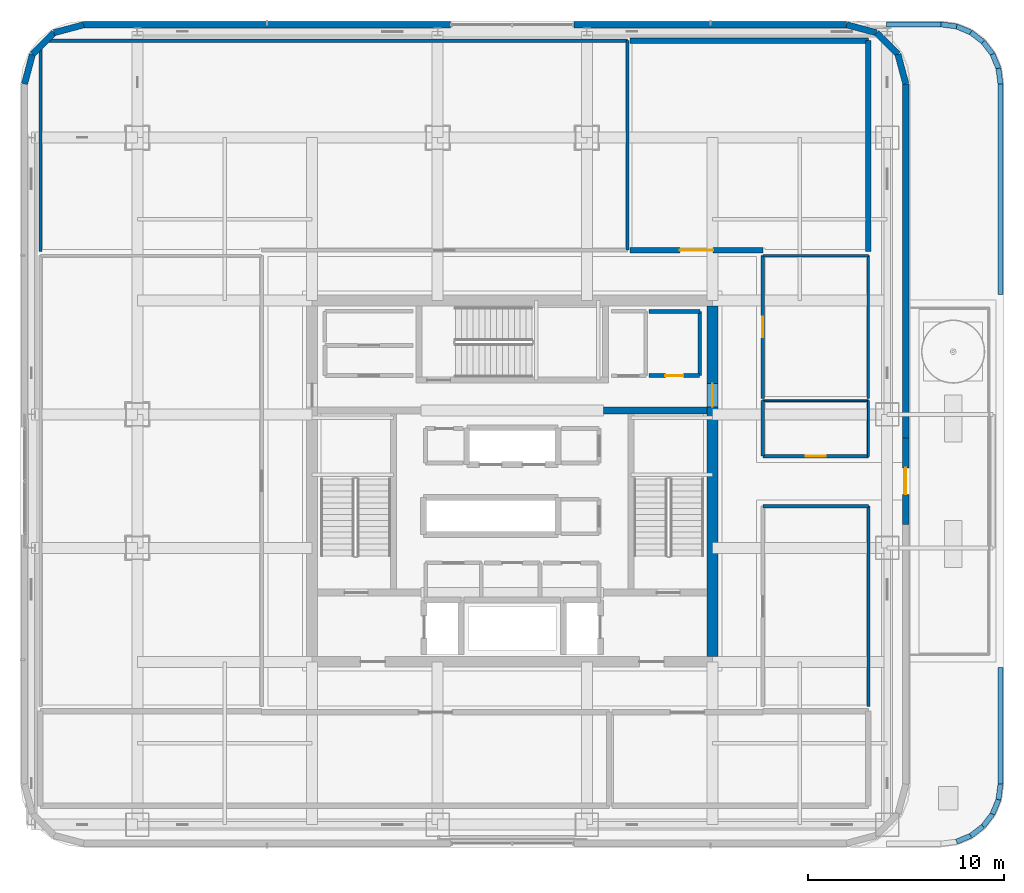
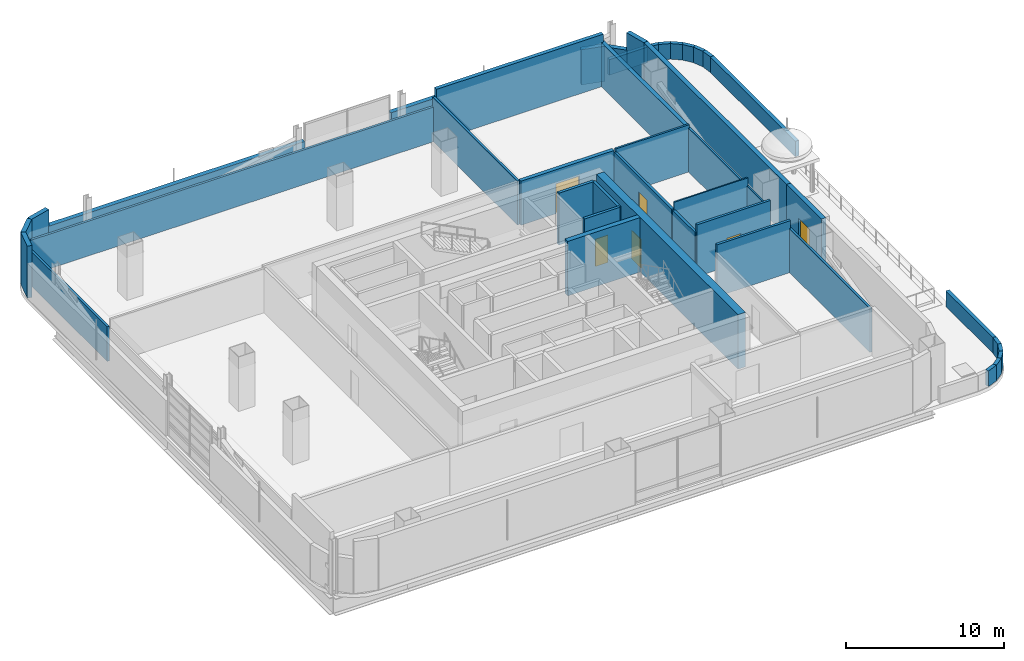
# One storey, part 14 of 31: 44 walls, 6 doors, 6 openings.
"""IFC4 building model written with IfcOpenShell, lengths in metres."""

import ifcopenshell
import ifcopenshell.guid

model = None  # the IFC model being written
_history = None  # IfcOwnerHistory: only IFC2X3 demands one
_inside = {}  # id of a spatial element -> (the spatial element, [elements in it])
_under = {}  # id of a project, library or spatial element -> (it, [spatial elements below it])
_declared = {}  # id of a project -> (the project, [libraries it declares])
_typed = {}  # id of a type object -> (the type object, [elements of that type])
_made_of = {}  # id of a material, layer set ... -> (it, [elements and type objects made of it])


def new_model(schema):
    """Start an empty IFC model of exactly this schema.

    Asked for "IFC4X3", IfcOpenShell would pick the latest addendum, in which some entities
    have other attributes; the version numbers below select the first issue.
    IFC2X3 requires an IfcOwnerHistory on every rooted entity: one is made here for all.
    """
    global model, _history
    if schema == "IFC4X3":
        model = ifcopenshell.file(schema_version=(4, 3, 0, 0))
    else:
        model = ifcopenshell.file(schema=schema)
    _inside.clear()
    _under.clear()
    _declared.clear()
    _typed.clear()
    _made_of.clear()
    _history = None
    if model.schema == "IFC2X3":
        org = make("IfcOrganization", Name="unknown")
        user = make(
            "IfcPersonAndOrganization",
            ThePerson=make("IfcPerson", FamilyName="unknown"),
            TheOrganization=org,
        )
        app = make(
            "IfcApplication",
            ApplicationDeveloper=org,
            Version="unknown",
            ApplicationFullName="unknown",
            ApplicationIdentifier="unknown",
        )
        _history = make(
            "IfcOwnerHistory",
            OwningUser=user,
            OwningApplication=app,
            ChangeAction="ADDED",
            CreationDate=0,
        )
    return model


def make(cls, **values):
    """One entity of the class cls with the attributes given. An attribute that is None is left unset."""
    return model.create_entity(
        cls, **{name: value for name, value in values.items() if value is not None}
    )


def rooted(cls, **values):
    """An entity with a GlobalId (a new one), such as an element, a storey or a relation."""
    return make(cls, GlobalId=ifcopenshell.guid.new(), OwnerHistory=_history, **values)


def si_unit(unit_type, name, prefix=None):
    """IfcSIUnit, for example si_unit("LENGTHUNIT", "METRE", prefix="MILLI")."""
    return make("IfcSIUnit", UnitType=unit_type, Prefix=prefix, Name=name)


def assignment(units):
    """IfcUnitAssignment: the units of a project."""
    return None if units is None else make("IfcUnitAssignment", Units=units)


def point(xyz):
    """IfcCartesianPoint."""
    return None if xyz is None else make("IfcCartesianPoint", Coordinates=xyz)


def direction(xyz):
    """IfcDirection."""
    return None if xyz is None else make("IfcDirection", DirectionRatios=xyz)


def frame(location, z_axis=None, x_axis=None):
    """IfcAxis2Placement3D, a coordinate frame: its origin and axes. An axis left out is left unset."""
    return make(
        "IfcAxis2Placement3D",
        Location=point(location),
        Axis=direction(z_axis),
        RefDirection=direction(x_axis),
    )


def frame_2d(location, x_axis=None):
    """IfcAxis2Placement2D, a coordinate frame in the plane: its origin and x axis."""
    return make(
        "IfcAxis2Placement2D", Location=point(location), RefDirection=direction(x_axis)
    )


def origin():
    """The frame at (0, 0, 0) with its axes left unset."""
    return frame((0.0, 0.0, 0.0))


def place(relative_to, where):
    """IfcLocalPlacement: puts the frame where relative to a parent placement (None: the world)."""
    return make(
        "IfcLocalPlacement", PlacementRelTo=relative_to, RelativePlacement=where
    )


def context(
    kind, dimensions, precision=None, world=None, true_north=None, identifier=None
):
    """IfcGeometricRepresentationContext, for example the 3D "Model" context."""
    return make(
        "IfcGeometricRepresentationContext",
        ContextIdentifier=identifier,
        ContextType=kind,
        CoordinateSpaceDimension=dimensions,
        Precision=precision,
        WorldCoordinateSystem=world,
        TrueNorth=true_north,
    )


def subcontext(parent, identifier, kind, view, scale=None):
    """IfcGeometricRepresentationSubContext, for example "Body" below "Model"."""
    return make(
        "IfcGeometricRepresentationSubContext",
        ContextIdentifier=identifier,
        ContextType=kind,
        ParentContext=parent,
        TargetScale=scale,
        TargetView=view,
    )


def project(units=None, contexts=None):
    """IfcProject with its units and contexts."""
    return rooted(
        "IfcProject",
        Name="project",
        RepresentationContexts=contexts,
        UnitsInContext=assignment(units),
    )


def spatial(cls, under=None, at=None, **own):
    """A site, building, storey or space (cls), placed at a placement, below another one or the project."""
    s = rooted(cls, ObjectPlacement=at, **own)
    if under is not None:
        _under.setdefault(under.id(), (under, []))[1].append(s)
    return s


def profile(cls, at=None, kind="AREA", **sizes):
    """A parametric profile (cls). Its sizes go by their IFC names, for example OverallWidth=200.0."""
    return make(cls, ProfileType=kind, Position=at, **sizes)


def rectangle(**sizes):
    """IfcRectangleProfileDef."""
    return profile("IfcRectangleProfileDef", **sizes)


def extrude(swept, where, along, depth):
    """IfcExtrudedAreaSolid: the profile swept, set in the frame where, extruded along a direction by depth."""
    return make(
        "IfcExtrudedAreaSolid",
        SweptArea=swept,
        Position=where,
        ExtrudedDirection=direction(along),
        Depth=depth,
    )


def shape(context_of_items, identifier, shape_type, items):
    """IfcShapeRepresentation: the items that make up one representation, for example the "Body"."""
    return make(
        "IfcShapeRepresentation",
        ContextOfItems=context_of_items,
        RepresentationIdentifier=identifier,
        RepresentationType=shape_type,
        Items=items,
    )


def material(Name=None, Category=None):
    """IfcMaterial."""
    return make("IfcMaterial", Name=Name, Category=Category)


def layer(
    of_material, thickness, ventilated=None, Name=None, Category=None, Priority=None
):
    """IfcMaterialLayer: one layer of a wall or slab, of a material (None: an air gap)."""
    return make(
        "IfcMaterialLayer",
        Material=of_material,
        LayerThickness=thickness,
        IsVentilated=ventilated,
        Name=Name,
        Category=Category,
        Priority=Priority,
    )


def layer_set(layers, Name=None):
    """IfcMaterialLayerSet."""
    return make("IfcMaterialLayerSet", MaterialLayers=layers, LayerSetName=Name)


def made_of(thing, what):
    """Note that an element or type object is made of a material, layer set ...; save() writes the relation."""
    if what is not None:
        _made_of.setdefault(what.id(), (what, []))[1].append(thing)
    return thing


def type_object(cls, material=None, **own):
    """A type object (cls), such as IfcWallType, which elements share."""
    return made_of(rooted(cls, **own), material)


def element(
    cls,
    number,
    at=None,
    inside=None,
    cuts=None,
    type_object=None,
    material=None,
    context=None,
    identifier="Body",
    shape_type=None,
    held_by="IfcProductDefinitionShape",
    body=None,
    shapes=None,
    **own,
):
    """One element of the class cls, such as IfcWall. Its Tag is "e" and its number.

    at: its placement. inside: the storey or other place that contains it. cuts: it is an
    opening in that element (IfcRelVoidsElement). A single representation is given by context,
    identifier, shape_type and body (its items); several are given by shapes. held_by: the class
    of the entity that holds the representations. save() writes the other relations.
    """
    e = rooted(cls, Tag="e%d" % number, ObjectPlacement=at, **own)
    if body is not None:
        shapes = [shape(context, identifier, shape_type, body)]
    if shapes is not None:
        e.Representation = make(held_by, Representations=shapes)
    if inside is not None:
        _inside.setdefault(inside.id(), (inside, []))[1].append(e)
    if cuts is not None:
        rooted(
            "IfcRelVoidsElement", RelatingBuildingElement=cuts, RelatedOpeningElement=e
        )
    if type_object is not None:
        _typed.setdefault(type_object.id(), (type_object, []))[1].append(e)
    return made_of(e, material)


def fill(opening, filler):
    """IfcRelFillsElement: the door or window that sits in an opening."""
    return rooted(
        "IfcRelFillsElement",
        RelatingOpeningElement=opening,
        RelatedBuildingElement=filler,
    )


def aggregate(whole, parts):
    """IfcRelAggregates: a whole, such as a stair, and the parts it consists of."""
    return rooted("IfcRelAggregates", RelatingObject=whole, RelatedObjects=parts)


def save(model, path):
    """Write the relations noted so far, then the file.

    IfcRelAggregates (storeys below a building ...), IfcRelContainedInSpatialStructure (elements
    in a storey), IfcRelDefinesByType, IfcRelAssociatesMaterial and IfcRelDeclares: one each for
    every whole, place, type object, material and project.
    """
    for whole, parts in _under.values():
        aggregate(whole, parts)
    for where, things in _inside.values():
        rooted(
            "IfcRelContainedInSpatialStructure",
            RelatedElements=things,
            RelatingStructure=where,
        )
    for kind, things in _typed.values():
        rooted("IfcRelDefinesByType", RelatedObjects=things, RelatingType=kind)
    for what, things in _made_of.values():
        rooted("IfcRelAssociatesMaterial", RelatedObjects=things, RelatingMaterial=what)
    for by, libraries in _declared.values():
        rooted("IfcRelDeclares", RelatingContext=by, RelatedDefinitions=libraries)
    model.write(path)


model = new_model("IFC4")

# Units and contexts
model_context = context("Model", 3, precision=1e-05, world=origin(), true_north=direction((0.0, 1.0)))
body_context = subcontext(model_context, "Body", "Model", "MODEL_VIEW")
ifc_project = project(units=[si_unit("LENGTHUNIT", "METRE"), si_unit("AREAUNIT", "SQUARE_METRE"), si_unit("VOLUMEUNIT", "CUBIC_METRE"), si_unit("PLANEANGLEUNIT", "RADIAN"), si_unit("MASSUNIT", "GRAM", prefix="KILO")], contexts=[model_context])

# Site, building, storey
site_placement = place(None, origin())
site = spatial("IfcSite", under=ifc_project, at=site_placement, CompositionType="ELEMENT")
building_placement = place(site_placement, origin())
building = spatial("IfcBuilding", under=site, at=building_placement, Name="Punatoya Terracotta Tower", CompositionType="ELEMENT")
storey_placement = place(building_placement, frame((0.0, 0.0, 283.800048828125)))
storey = spatial("IfcBuildingStorey", under=building, at=storey_placement, Name="L67", CompositionType="ELEMENT", Elevation=283.800048828125)

# Wall
ifc_material_1 = material(Name="Concrete C40/50", Category="concrete")
ifc_layer_1 = layer(ifc_material_1, 0.280029296875)
ifc_layer_set_1 = layer_set([ifc_layer_1], Name="Concrete C40/50")
wall_type_1 = type_object("IfcWallType", Name="WL-AUD-280", PredefinedType="SOLIDWALL", material=ifc_layer_set_1)
wall_1_placement = place(storey_placement, frame((18.139892578125, 22.43994140625, 0.0), z_axis=(0.0, 0.0, 1.0), x_axis=(0.0, -1.0, 0.0)))
element("IfcWall", 1, at=wall_1_placement, inside=storey, type_object=wall_type_1, Name="L67 Waterfront Club Lounge Partition 54", PredefinedType="SOLIDWALL", context=body_context, shape_type="SweptSolid", body=[
    extrude(rectangle(XDim=10.72998046875, YDim=0.280029296875, at=frame_2d((5.364990234375, 0.0))), origin(), (0.0, 0.0, 1.0), 3.39404296875),
])

# Wall, opening, door
wall_2_placement = place(storey_placement, frame((12.77001953125, 11.77001953125, 0.0), z_axis=(0.0, 0.0, 1.0), x_axis=(-1.0, 0.0, 0.0)))
wall_2 = element("IfcWall", 2, at=wall_2_placement, inside=storey, type_object=wall_type_1, Name="L67 Waterfront Club Lounge Partition 55", PredefinedType="SOLIDWALL", context=body_context, shape_type="SweptSolid", body=[
    extrude(rectangle(XDim=6.776123046875, YDim=0.280029296875, at=frame_2d((3.38818359375, 0.0))), origin(), (0.0, 0.0, 1.0), 3.39404296875),
])
opening_1_placement = place(wall_2_placement, frame((2.5380859375, 0.0, 0.0)))
opening_1 = element("IfcOpeningElement", 3, at=opening_1_placement, cuts=wall_2, Name="Opening FD-D1", PredefinedType="OPENING", context=body_context, shape_type="SweptSolid", body=[
    extrude(rectangle(XDim=1.699951171875, YDim=2.300048828125, at=frame_2d((0.85009765625, 1.14990234375))), frame((0.0, 0.14990234375, 0.0), z_axis=(0.0, -1.0, 0.0), x_axis=(1.0, 0.0, 0.0)), (0.0, 0.0, 1.0), 0.300048828125),
])
ifc_material_2 = material(Name="Timber Teak Veneer Fire Leaf", Category="wood")
door_type_1 = type_object("IfcDoorType", Name="DR-DIN-1700", OperationType="NOTDEFINED", PredefinedType="DOOR", material=ifc_material_2)
door_1_placement = place(opening_1_placement, origin())
door_1 = element("IfcDoor", 4, at=door_1_placement, inside=storey, type_object=door_type_1, Name="L67 Waterfront Club Lounge Fire Door", OperationType="DOUBLE_DOOR_SINGLE_SWING", OverallHeight=2.300048828125, OverallWidth=1.699951171875, PredefinedType="DOOR", context=body_context, shape_type="SweptSolid", body=[
    extrude(rectangle(XDim=1.699951171875, YDim=2.300048828125, at=frame_2d((0.85009765625, 1.14990234375))), frame((0.0, 0.02490234375, 0.0), z_axis=(0.0, -1.0, 0.0), x_axis=(1.0, 0.0, 0.0)), (0.0, 0.0, 1.0), 0.050048828125),
])
fill(opening_1, door_1)

# Wall
wall_3_placement = place(storey_placement, frame((5.993896484375, 22.43994140625, 0.0), z_axis=(0.0, 0.0, 1.0), x_axis=(1.0, 0.0, 0.0)))
element("IfcWall", 5, at=wall_3_placement, inside=storey, type_object=wall_type_1, Name="L67 Waterfront Club Lounge Partition 56", PredefinedType="SOLIDWALL", context=body_context, shape_type="SweptSolid", body=[
    extrude(rectangle(XDim=12.14599609375, YDim=0.280029296875, at=frame_2d((6.072998046875, 0.0))), origin(), (0.0, 0.0, 1.0), 4.0),
])

# Wall, opening, door
ifc_material_3 = material(Name="Concrete C50/60", Category="concrete")
ifc_layer_2 = layer(ifc_material_3, 0.550048828125)
ifc_layer_set_2 = layer_set([ifc_layer_2], Name="Concrete C50/60")
wall_type_2 = type_object("IfcWallType", Name="WL-COR-550", PredefinedType="SHEAR", material=ifc_layer_set_2)
wall_4_placement = place(storey_placement, frame((10.199951171875, 8.925048828125, 0.0), z_axis=(0.0, 0.0, 1.0), x_axis=(0.0, -1.0, 0.0)))
wall_4 = element("IfcWall", 6, at=wall_4_placement, inside=storey, type_object=wall_type_2, Name="L67 Core Shear Wall E", PredefinedType="SHEAR", context=body_context, shape_type="SweptSolid", body=[
    extrude(rectangle(XDim=17.85009765625, YDim=0.550048828125, at=frame_2d((8.925048828125, 0.0))), origin(), (0.0, 0.0, 1.0), 4.199951171875),
])
opening_2_placement = place(wall_4_placement, frame((3.955078125, 0.0, 0.0)))
opening_2 = element("IfcOpeningElement", 7, at=opening_2_placement, cuts=wall_4, Name="Opening SD-01", PredefinedType="OPENING", context=body_context, shape_type="SweptSolid", body=[
    extrude(rectangle(XDim=1.179931640625, YDim=2.199951171875, at=frame_2d((0.58984375, 1.10009765625))), frame((0.0, 0.284912109375, 0.0), z_axis=(0.0, -1.0, 0.0), x_axis=(1.0, 0.0, 0.0)), (0.0, 0.0, 1.0), 0.570068359375),
])
ifc_material_4 = material(Name="Galvanised Steel Pressurized Stair Fire Door", Category="steel")
door_type_2 = type_object("IfcDoorType", Name="DR-STR-1180", OperationType="NOTDEFINED", PredefinedType="DOOR", material=ifc_material_4)
door_2_placement = place(opening_2_placement, origin())
door_2 = element("IfcDoor", 8, at=door_2_placement, inside=storey, type_object=door_type_2, Name="L67 Central Lift Lobby East Fire Door", OperationType="SINGLE_SWING_RIGHT", OverallHeight=2.199951171875, OverallWidth=1.179931640625, PredefinedType="DOOR", context=body_context, shape_type="SweptSolid", body=[
    extrude(rectangle(XDim=1.179931640625, YDim=2.199951171875, at=frame_2d((0.58984375, 1.10009765625))), frame((0.0, 0.02490234375, 0.0), z_axis=(0.0, -1.0, 0.0), x_axis=(1.0, 0.0, 0.0)), (0.0, 0.0, 1.0), 0.050048828125),
])
fill(opening_2, door_2)

# Wall
ifc_material_5 = material(Name="Gypsum Fireboard + Steel Stud", Category="steel")
ifc_layer_3 = layer(ifc_material_5, 0.179931640625)
ifc_layer_set_3 = layer_set([ifc_layer_3], Name="Gypsum Fireboard + Steel Stud")
wall_type_3 = type_object("IfcWallType", Name="WL-CORR-180", PredefinedType="PARTITIONING", material=ifc_layer_set_3)
wall_5_placement = place(storey_placement, frame((12.77001953125, -1.27001953125, 0.0), z_axis=(0.0, 0.0, 1.0), x_axis=(1.0, 0.0, 0.0)))
element("IfcWall", 9, at=wall_5_placement, inside=storey, type_object=wall_type_3, Name="L67 Catering Tea Pantry Partition 38", PredefinedType="PARTITIONING", context=body_context, shape_type="SweptSolid", body=[
    extrude(rectangle(XDim=5.369873046875, YDim=0.179931640625, at=frame_2d((2.68505859375, 0.0))), origin(), (0.0, 0.0, 1.0), 4.0),
])

# Wall, opening, door
wall_6_placement = place(storey_placement, frame((18.139892578125, 1.27001953125, 0.0), z_axis=(0.0, 0.0, 1.0), x_axis=(-1.0, 0.0, 0.0)))
wall_6 = element("IfcWall", 10, at=wall_6_placement, inside=storey, type_object=wall_type_3, Name="L67 Private Dining Boardroom Partition 43", PredefinedType="PARTITIONING", context=body_context, shape_type="SweptSolid", body=[
    extrude(rectangle(XDim=5.369873046875, YDim=0.179931640625, at=frame_2d((2.68505859375, 0.0))), origin(), (0.0, 0.0, 1.0), 4.0),
])
opening_3_placement = place(wall_6_placement, frame((2.175048828125, 0.0, 0.0)))
opening_3 = element("IfcOpeningElement", 11, at=opening_3_placement, cuts=wall_6, Name="Opening MD-01", PredefinedType="OPENING", context=body_context, shape_type="SweptSolid", body=[
    extrude(rectangle(XDim=1.02001953125, YDim=2.199951171875, at=frame_2d((0.510009765625, 1.10009765625))), frame((0.0, 0.099853515625, 0.0), z_axis=(0.0, -1.0, 0.0), x_axis=(1.0, 0.0, 0.0)), (0.0, 0.0, 1.0), 0.199951171875),
])
ifc_material_6 = material(Name="Aluminium + Acoustic Glass Leaf", Category="aluminium")
door_type_3 = type_object("IfcDoorType", Name="DR-MTG-1020", OperationType="NOTDEFINED", PredefinedType="DOOR", material=ifc_material_6)
door_3_placement = place(opening_3_placement, origin())
door_3 = element("IfcDoor", 12, at=door_3_placement, inside=storey, type_object=door_type_3, Name="L67 Private Dining Boardroom Door", OperationType="SINGLE_SWING_LEFT", OverallHeight=2.199951171875, OverallWidth=1.02001953125, PredefinedType="DOOR", context=body_context, shape_type="SweptSolid", body=[
    extrude(rectangle(XDim=1.02001953125, YDim=2.199951171875, at=frame_2d((0.510009765625, 1.10009765625))), frame((0.0, 0.02490234375, 0.0), z_axis=(0.0, -1.0, 0.0), x_axis=(1.0, 0.0, 0.0)), (0.0, 0.0, 1.0), 0.050048828125),
])
fill(opening_3, door_3)

# Wall
wall_7_placement = place(storey_placement, frame((12.77001953125, 1.27001953125, 0.0), z_axis=(0.0, 0.0, 1.0), x_axis=(0.0, 1.0, 0.0)))
element("IfcWall", 13, at=wall_7_placement, inside=storey, type_object=wall_type_3, Name="L67 Private Dining Boardroom Partition 44", PredefinedType="PARTITIONING", context=body_context, shape_type="SweptSolid", body=[
    extrude(rectangle(XDim=2.827880859375, YDim=0.179931640625, at=frame_2d((1.4140625, 0.0))), origin(), (0.0, 0.0, 1.0), 3.39404296875),
])

# Wall, opening, door
wall_8_placement = place(storey_placement, frame((12.77001953125, 4.218017578125, 0.0), z_axis=(0.0, 0.0, 1.0), x_axis=(0.0, 1.0, 0.0)))
wall_8 = element("IfcWall", 14, at=wall_8_placement, inside=storey, type_object=wall_type_3, Name="L67 Wellness Relaxation Lounge Partition 47", PredefinedType="PARTITIONING", context=body_context, shape_type="SweptSolid", body=[
    extrude(rectangle(XDim=7.27197265625, YDim=0.179931640625, at=frame_2d((3.635986328125, 0.0))), origin(), (0.0, 0.0, 1.0), 3.39404296875),
])
opening_4_placement = place(wall_8_placement, frame((3.111083984375, 0.0, 0.0)))
opening_4 = element("IfcOpeningElement", 15, at=opening_4_placement, cuts=wall_8, Name="Opening OD-01", PredefinedType="OPENING", context=body_context, shape_type="SweptSolid", body=[
    extrude(rectangle(XDim=1.050048828125, YDim=2.199951171875, at=frame_2d((0.52490234375, 1.10009765625))), frame((0.0, 0.099853515625, 0.0), z_axis=(0.0, -1.0, 0.0), x_axis=(1.0, 0.0, 0.0)), (0.0, 0.0, 1.0), 0.199951171875),
])
ifc_material_7 = material(Name="Bengal Teak Solid-Core Leaf")
door_type_4 = type_object("IfcDoorType", Name="DR-OFF-1050", OperationType="NOTDEFINED", PredefinedType="DOOR", material=ifc_material_7)
door_4_placement = place(opening_4_placement, origin())
door_4 = element("IfcDoor", 16, at=door_4_placement, inside=storey, type_object=door_type_4, Name="L67 Wellness Relaxation Lounge Door", OperationType="SINGLE_SWING_RIGHT", OverallHeight=2.199951171875, OverallWidth=1.050048828125, PredefinedType="DOOR", context=body_context, shape_type="SweptSolid", body=[
    extrude(rectangle(XDim=1.050048828125, YDim=2.199951171875, at=frame_2d((0.52490234375, 1.10009765625))), frame((0.0, 0.02490234375, 0.0), z_axis=(0.0, -1.0, 0.0), x_axis=(1.0, 0.0, 0.0)), (0.0, 0.0, 1.0), 0.050048828125),
])
fill(opening_4, door_4)

# Wall
ifc_material_8 = material(Name="Precast concrete C40/50", Category="concrete")
ifc_layer_4 = layer(ifc_material_8, 0.320068359375)
ifc_layer_set_4 = layer_set([ifc_layer_4], Name="Precast concrete C40/50")
wall_type_4 = type_object("IfcWallType", Name="WL-EXT-320", PredefinedType="SOLIDWALL", material=ifc_layer_set_4)
wall_9_placement = place(storey_placement, frame((20.050048828125, 2.199951171875, 0.0), z_axis=(0.0, 0.0, 1.0), x_axis=(0.0, 1.0, 0.0)))
element("IfcWall", 17, at=wall_9_placement, inside=storey, type_object=wall_type_4, Name="L67 Terracotta Braced Facade Wall E", PredefinedType="SOLIDWALL", context=body_context, shape_type="SweptSolid", body=[
    extrude(rectangle(XDim=18.036865234375, YDim=0.320068359375, at=frame_2d((9.0185546875, 0.0))), origin(), (0.0, 0.0, 1.0), 4.0),
])

# Wall, opening, door
wall_10_placement = place(storey_placement, frame((20.050048828125, -2.199951171875, 0.0), z_axis=(0.0, 0.0, 1.0), x_axis=(0.0, 1.0, 0.0)))
wall_10 = element("IfcWall", 18, at=wall_10_placement, inside=storey, type_object=wall_type_4, Name="L67 Sky-Terrace Portal Wall E", PredefinedType="SOLIDWALL", context=body_context, shape_type="SweptSolid", body=[
    extrude(rectangle(XDim=4.39990234375, YDim=0.320068359375, at=frame_2d((2.199951171875, 0.0))), origin(), (0.0, 0.0, 1.0), 4.0),
])
opening_5_placement = place(wall_10_placement, frame((1.52490234375, 0.0, 0.0)))
opening_5 = element("IfcOpeningElement", 19, at=opening_5_placement, cuts=wall_10, Name="Opening TD-02", PredefinedType="OPENING", context=body_context, shape_type="SweptSolid", body=[
    extrude(rectangle(XDim=1.35009765625, YDim=2.300048828125, at=frame_2d((0.675048828125, 1.14990234375))), frame((0.0, 0.169921875, 0.0), z_axis=(0.0, -1.0, 0.0), x_axis=(1.0, 0.0, 0.0)), (0.0, 0.0, 1.0), 0.340087890625),
])
ifc_material_9 = material(Name="Aluminium 6063-T6 + Low-E Glass", Category="aluminium")
door_type_5 = type_object("IfcDoorType", Name="DR-TER-1350", OperationType="NOTDEFINED", PredefinedType="DOOR", material=ifc_material_9)
door_5_placement = place(opening_5_placement, origin())
door_5 = element("IfcDoor", 20, at=door_5_placement, inside=storey, type_object=door_type_5, Name="L67 Sky-Terrace Access Door E1", OperationType="SINGLE_SWING_RIGHT", OverallHeight=2.300048828125, OverallWidth=1.35009765625, PredefinedType="DOOR", context=body_context, shape_type="SweptSolid", body=[
    extrude(rectangle(XDim=1.35009765625, YDim=2.300048828125, at=frame_2d((0.675048828125, 1.14990234375))), frame((0.0, 0.02490234375, 0.0), z_axis=(0.0, -1.0, 0.0), x_axis=(1.0, 0.0, 0.0)), (0.0, 0.0, 1.0), 0.050048828125),
])
fill(opening_5, door_5)

# Walls
wall_11_placement = place(storey_placement, frame((20.050048828125, 20.23681640625, 0.0), z_axis=(0.0, 0.0, 1.0), x_axis=(-0.257847112249, 0.966185730957, 0.0)))
element("IfcWall", 21, at=wall_11_placement, inside=storey, type_object=wall_type_4, Name="L67 Rounded Terracotta Corner Pier 06", PredefinedType="SOLIDWALL", context=body_context, shape_type="SweptSolid", body=[
    extrude(rectangle(XDim=1.565185546875, YDim=0.320068359375, at=frame_2d((0.78271484375, 0.0))), origin(), (0.0, 0.0, 1.0), 4.0),
])
wall_12_placement = place(storey_placement, frame((19.646484375, 21.7490234375, 0.0), z_axis=(0.0, 0.0, 1.0), x_axis=(-0.707028130747, 0.707185422879, 0.0)))
element("IfcWall", 22, at=wall_12_placement, inside=storey, type_object=wall_type_4, Name="L67 Rounded Terracotta Corner Pier 07", PredefinedType="SOLIDWALL", context=body_context, shape_type="SweptSolid", body=[
    extrude(rectangle(XDim=1.55224609375, YDim=0.320068359375, at=frame_2d((0.776123046875, 0.0))), origin(), (0.0, 0.0, 1.0), 2.674072265625),
])
wall_13_placement = place(storey_placement, frame((18.549072265625, 22.8466796875, 0.0), z_axis=(0.0, 0.0, 1.0), x_axis=(-0.966224582397, 0.257701486942, 0.0)))
element("IfcWall", 23, at=wall_13_placement, inside=storey, type_object=wall_type_4, Name="L67 Rounded Terracotta Corner Pier 08", PredefinedType="SOLIDWALL", context=body_context, shape_type="SweptSolid", body=[
    extrude(rectangle(XDim=1.565185546875, YDim=0.320068359375, at=frame_2d((0.78271484375, 0.0))), origin(), (0.0, 0.0, 1.0), 2.7138671875),
])
wall_14_placement = place(storey_placement, frame((17.036865234375, 23.25, 0.0), z_axis=(0.0, 0.0, 1.0), x_axis=(-1.0, 0.0, 0.0)))
element("IfcWall", 24, at=wall_14_placement, inside=storey, type_object=wall_type_4, Name="L67 Terracotta Braced Facade Wall N1", PredefinedType="SOLIDWALL", context=body_context, shape_type="SweptSolid", body=[
    extrude(rectangle(XDim=13.886962890625, YDim=0.320068359375, at=frame_2d((6.943359375, 0.0))), origin(), (0.0, 0.0, 1.0), 2.7138671875),
])
wall_15_placement = place(storey_placement, frame((-3.14990234375, 23.25, 0.0), z_axis=(0.0, 0.0, 1.0), x_axis=(-1.0, 0.0, 0.0)))
element("IfcWall", 25, at=wall_15_placement, inside=storey, type_object=wall_type_4, Name="L67 Terracotta Braced Facade Wall N2", PredefinedType="SOLIDWALL", context=body_context, shape_type="SweptSolid", body=[
    extrude(rectangle(XDim=18.68701171875, YDim=0.320068359375, at=frame_2d((9.343505859375, 0.0))), origin(), (0.0, 0.0, 1.0), 2.7138671875),
])
wall_16_placement = place(storey_placement, frame((-21.8369140625, 23.25, 0.0), z_axis=(0.0, 0.0, 1.0), x_axis=(-0.966224582397, -0.257701486942, 0.0)))
element("IfcWall", 26, at=wall_16_placement, inside=storey, type_object=wall_type_4, Name="L67 Rounded Terracotta Corner Pier 10", PredefinedType="SOLIDWALL", context=body_context, shape_type="SweptSolid", body=[
    extrude(rectangle(XDim=1.565185546875, YDim=0.320068359375, at=frame_2d((0.78271484375, 0.0))), origin(), (0.0, 0.0, 1.0), 4.0),
])
wall_17_placement = place(storey_placement, frame((-23.34912109375, 22.8466796875, 0.0), z_axis=(0.0, 0.0, 1.0), x_axis=(-0.707028130747, -0.707185422879, 0.0)))
element("IfcWall", 27, at=wall_17_placement, inside=storey, type_object=wall_type_4, Name="L67 Rounded Terracotta Corner Pier 11", PredefinedType="SOLIDWALL", context=body_context, shape_type="SweptSolid", body=[
    extrude(rectangle(XDim=1.55224609375, YDim=0.320068359375, at=frame_2d((0.776123046875, 0.0))), origin(), (0.0, 0.0, 1.0), 4.0),
])
wall_18_placement = place(storey_placement, frame((-24.446533203125, 21.7490234375, 0.0), z_axis=(0.0, 0.0, 1.0), x_axis=(-0.257847112249, -0.966185730957, 0.0)))
element("IfcWall", 28, at=wall_18_placement, inside=storey, type_object=wall_type_4, Name="L67 Rounded Terracotta Corner Pier 12", PredefinedType="SOLIDWALL", context=body_context, shape_type="SweptSolid", body=[
    extrude(rectangle(XDim=1.565185546875, YDim=0.320068359375, at=frame_2d((0.78271484375, 0.0))), origin(), (0.0, 0.0, 1.0), 4.0),
])
ifc_material_10 = material(Name="Aluminium Framed Acoustic Glass Partition", Category="aluminium")
ifc_layer_5 = layer(ifc_material_10, 0.10009765625)
ifc_layer_set_5 = layer_set([ifc_layer_5], Name="Aluminium Framed Acoustic Glass Partition")
wall_type_5 = type_object("IfcWallType", Name="WL-GLZ-100", PredefinedType="PARTITIONING", material=ifc_layer_set_5)
wall_19_placement = place(storey_placement, frame((12.77001953125, 4.097900390625, 0.0), z_axis=(0.0, 0.0, 1.0), x_axis=(1.0, 0.0, 0.0)))
element("IfcWall", 29, at=wall_19_placement, inside=storey, type_object=wall_type_5, Name="L67 Private Dining Boardroom Partition 45", PredefinedType="PARTITIONING", context=body_context, shape_type="SweptSolid", body=[
    extrude(rectangle(XDim=5.369873046875, YDim=0.10009765625, at=frame_2d((2.68505859375, 0.0))), origin(), (0.0, 0.0, 1.0), 4.0),
])
wall_20_placement = place(storey_placement, frame((18.139892578125, 4.097900390625, 0.0), z_axis=(0.0, 0.0, 1.0), x_axis=(0.0, -1.0, 0.0)))
element("IfcWall", 30, at=wall_20_placement, inside=storey, type_object=wall_type_5, Name="L67 Private Dining Boardroom Partition 46", PredefinedType="PARTITIONING", context=body_context, shape_type="SweptSolid", body=[
    extrude(rectangle(XDim=2.827880859375, YDim=0.10009765625, at=frame_2d((1.4140625, 0.0))), origin(), (0.0, 0.0, 1.0), 3.39404296875),
])
ifc_layer_6 = layer(ifc_material_1, 0.199951171875)
ifc_layer_set_6 = layer_set([ifc_layer_6], Name="Concrete C40/50")
wall_type_6 = type_object("IfcWallType", Name="WL-INT-200", PredefinedType="SOLIDWALL", material=ifc_layer_set_6)
wall_21_placement = place(storey_placement, frame((9.550048828125, 5.3798828125, 0.0), z_axis=(0.0, 0.0, 1.0), x_axis=(0.0, 1.0, 0.0)))
element("IfcWall", 31, at=wall_21_placement, inside=storey, type_object=wall_type_6, Name="L67 East Core Archive Partition 25", PredefinedType="SOLIDWALL", context=body_context, shape_type="SweptSolid", body=[
    extrude(rectangle(XDim=3.27001953125, YDim=0.199951171875, at=frame_2d((1.635009765625, 0.0))), origin(), (0.0, 0.0, 1.0), 4.0),
])
wall_22_placement = place(storey_placement, frame((9.550048828125, 8.64990234375, 0.0), z_axis=(0.0, 0.0, 1.0), x_axis=(-1.0, 0.0, 0.0)))
element("IfcWall", 32, at=wall_22_placement, inside=storey, type_object=wall_type_6, Name="L67 East Core Archive Partition 26", PredefinedType="SOLIDWALL", context=body_context, shape_type="SweptSolid", body=[
    extrude(rectangle(XDim=2.590087890625, YDim=0.199951171875, at=frame_2d((1.294921875, 0.0))), origin(), (0.0, 0.0, 1.0), 4.0),
])

# Wall, opening, door
wall_23_placement = place(storey_placement, frame((6.9599609375, 5.3798828125, 0.0), z_axis=(0.0, 0.0, 1.0), x_axis=(1.0, 0.0, 0.0)))
wall_23 = element("IfcWall", 33, at=wall_23_placement, inside=storey, type_object=wall_type_6, Name="L67 East Core Archive Partition 27", PredefinedType="SOLIDWALL", context=body_context, shape_type="SweptSolid", body=[
    extrude(rectangle(XDim=2.590087890625, YDim=0.199951171875, at=frame_2d((1.294921875, 0.0))), origin(), (0.0, 0.0, 1.0), 4.0),
])
opening_6_placement = place(wall_23_placement, frame((0.8349609375, 0.0, 0.0)))
opening_6 = element("IfcOpeningElement", 34, at=opening_6_placement, cuts=wall_23, Name="Opening FD-R1", PredefinedType="OPENING", context=body_context, shape_type="SweptSolid", body=[
    extrude(rectangle(XDim=0.919921875, YDim=2.10009765625, at=frame_2d((0.4599609375, 1.050048828125))), frame((0.0, 0.10986328125, 0.0), z_axis=(0.0, -1.0, 0.0), x_axis=(1.0, 0.0, 0.0)), (0.0, 0.0, 1.0), 0.219970703125),
])
ifc_material_11 = material(Name="Galvanised Steel Riser Fire Access Door", Category="steel")
door_type_6 = type_object("IfcDoorType", Name="DR-RSR-920", OperationType="NOTDEFINED", PredefinedType="DOOR", material=ifc_material_11)
door_6_placement = place(opening_6_placement, origin())
door_6 = element("IfcDoor", 35, at=door_6_placement, inside=storey, type_object=door_type_6, Name="L67 East Core Archive Fire Door", OperationType="SINGLE_SWING_RIGHT", OverallHeight=2.10009765625, OverallWidth=0.919921875, PredefinedType="DOOR", context=body_context, shape_type="SweptSolid", body=[
    extrude(rectangle(XDim=0.919921875, YDim=2.10009765625, at=frame_2d((0.4599609375, 1.050048828125))), frame((0.0, 0.02490234375, 0.0), z_axis=(0.0, -1.0, 0.0), x_axis=(1.0, 0.0, 0.0)), (0.0, 0.0, 1.0), 0.050048828125),
])
fill(opening_6, door_6)

# Walls
ifc_material_12 = material(Name="Acoustic Gypsum + Steel Stud", Category="steel")
ifc_layer_7 = layer(ifc_material_12, 0.139892578125)
ifc_layer_set_7 = layer_set([ifc_layer_7], Name="Acoustic Gypsum + Steel Stud")
wall_type_7 = type_object("IfcWallType", Name="WL-OFF-140", PredefinedType="PARTITIONING", material=ifc_layer_set_7)
wall_24_placement = place(storey_placement, frame((12.77001953125, 11.489990234375, 0.0), z_axis=(0.0, 0.0, 1.0), x_axis=(1.0, 0.0, 0.0)))
element("IfcWall", 36, at=wall_24_placement, inside=storey, type_object=wall_type_7, Name="L67 Wellness Relaxation Lounge Partition 48", PredefinedType="PARTITIONING", context=body_context, shape_type="SweptSolid", body=[
    extrude(rectangle(XDim=5.369873046875, YDim=0.139892578125, at=frame_2d((2.68505859375, 0.0))), origin(), (0.0, 0.0, 1.0), 3.634033203125),
])
wall_25_placement = place(storey_placement, frame((18.139892578125, 11.489990234375, 0.0), z_axis=(0.0, 0.0, 1.0), x_axis=(0.0, -1.0, 0.0)))
element("IfcWall", 37, at=wall_25_placement, inside=storey, type_object=wall_type_7, Name="L67 Wellness Relaxation Lounge Partition 49", PredefinedType="PARTITIONING", context=body_context, shape_type="SweptSolid", body=[
    extrude(rectangle(XDim=7.27197265625, YDim=0.139892578125, at=frame_2d((3.635986328125, 0.0))), origin(), (0.0, 0.0, 1.0), 3.39404296875),
])
ifc_layer_8 = layer(ifc_material_8, 0.260009765625)
ifc_layer_set_8 = layer_set([ifc_layer_8], Name="Precast concrete C40/50")
wall_type_8 = type_object("IfcWallType", Name="WL-PAR-260", PredefinedType="PARAPET", material=ifc_layer_set_8)
wall_26_placement = place(storey_placement, frame((22.631103515625, -18.365478515625, 0.0), z_axis=(0.0, 0.0, 1.0), x_axis=(0.924009282298, 0.382370038349, 0.0)))
element("IfcWall", 38, at=wall_26_placement, inside=storey, type_object=wall_type_8, Name="L67 Roof Parapet Wall PAR-L67-RF-02", PredefinedType="PARAPET", context=body_context, shape_type="SweptSolid", body=[
    extrude(rectangle(XDim=0.787841796875, YDim=0.260009765625, at=frame_2d((0.39404296875, 0.0))), origin(), (0.0, 0.0, 1.0), 1.199951171875),
])
wall_27_placement = place(storey_placement, frame((23.359130859375, -18.064208984375, 0.0), z_axis=(0.0, 0.0, 1.0), x_axis=(0.793222344381, 0.608932108182, 0.0)))
element("IfcWall", 39, at=wall_27_placement, inside=storey, type_object=wall_type_8, Name="L67 Roof Parapet Wall PAR-L67-RF-03", PredefinedType="PARAPET", context=body_context, shape_type="SweptSolid", body=[
    extrude(rectangle(XDim=0.788330078125, YDim=0.260009765625, at=frame_2d((0.39404296875, 0.0))), origin(), (0.0, 0.0, 1.0), 1.199951171875),
])
wall_28_placement = place(storey_placement, frame((23.984375, -17.584228515625, 0.0), z_axis=(0.0, 0.0, 1.0), x_axis=(0.608886809997, 0.793257116332, 0.0)))
element("IfcWall", 40, at=wall_28_placement, inside=storey, type_object=wall_type_8, Name="L67 Roof Parapet Wall PAR-L67-RF-04", PredefinedType="PARAPET", context=body_context, shape_type="SweptSolid", body=[
    extrude(rectangle(XDim=0.787841796875, YDim=0.260009765625, at=frame_2d((0.39404296875, 0.0))), origin(), (0.0, 0.0, 1.0), 1.199951171875),
])
wall_29_placement = place(storey_placement, frame((24.464111328125, -16.959228515625, 0.0), z_axis=(0.0, 0.0, 1.0), x_axis=(0.38263454961, 0.923899778896, 0.0)))
element("IfcWall", 41, at=wall_29_placement, inside=storey, type_object=wall_type_8, Name="L67 Roof Parapet Wall PAR-L67-RF-05", PredefinedType="PARAPET", context=body_context, shape_type="SweptSolid", body=[
    extrude(rectangle(XDim=0.7880859375, YDim=0.260009765625, at=frame_2d((0.39404296875, 0.0))), origin(), (0.0, 0.0, 1.0), 1.199951171875),
])
wall_30_placement = place(storey_placement, frame((24.765625, -16.231201171875, 0.0), z_axis=(0.0, 0.0, 1.0), x_axis=(0.130644014367, 0.991429342672, 0.0)))
element("IfcWall", 42, at=wall_30_placement, inside=storey, type_object=wall_type_8, Name="L67 Roof Parapet Wall PAR-L67-RF-06", PredefinedType="PARAPET", context=body_context, shape_type="SweptSolid", body=[
    extrude(rectangle(XDim=0.7998046875, YDim=0.260009765625, at=frame_2d((0.39990234375, 0.0))), origin(), (0.0, 0.0, 1.0), 1.199951171875),
])
wall_31_placement = place(storey_placement, frame((24.8701171875, -15.438232421875, 0.0), z_axis=(0.0, 0.0, 1.0), x_axis=(0.0, 1.0, 0.0)))
element("IfcWall", 43, at=wall_31_placement, inside=storey, type_object=wall_type_8, Name="L67 Roof Parapet Wall PAR-L67-RF-07", PredefinedType="PARAPET", context=body_context, shape_type="SweptSolid", body=[
    extrude(rectangle(XDim=5.938232421875, YDim=0.260009765625, at=frame_2d((2.96923828125, 0.0))), origin(), (0.0, 0.0, 1.0), 1.199951171875),
])
wall_32_placement = place(storey_placement, frame((24.8701171875, 9.5, 0.0), z_axis=(0.0, 0.0, 1.0), x_axis=(0.0, 1.0, 0.0)))
element("IfcWall", 44, at=wall_32_placement, inside=storey, type_object=wall_type_8, Name="L67 Roof Parapet Wall PAR-L67-RF-08", PredefinedType="PARAPET", context=body_context, shape_type="SweptSolid", body=[
    extrude(rectangle(XDim=10.73828125, YDim=0.260009765625, at=frame_2d((5.369140625, 0.0))), origin(), (0.0, 0.0, 1.0), 1.199951171875),
])
wall_33_placement = place(storey_placement, frame((24.8701171875, 20.23828125, 0.0), z_axis=(0.0, 0.0, 1.0), x_axis=(-0.130644014367, 0.991429342672, 0.0)))
element("IfcWall", 45, at=wall_33_placement, inside=storey, type_object=wall_type_8, Name="L67 Roof Parapet Wall PAR-L67-RF-09", PredefinedType="PARAPET", context=body_context, shape_type="SweptSolid", body=[
    extrude(rectangle(XDim=0.7998046875, YDim=0.260009765625, at=frame_2d((0.39990234375, 0.0))), origin(), (0.0, 0.0, 1.0), 1.199951171875),
])
wall_34_placement = place(storey_placement, frame((24.765625, 21.03125, 0.0), z_axis=(0.0, 0.0, 1.0), x_axis=(-0.38263454961, 0.923899778896, 0.0)))
element("IfcWall", 46, at=wall_34_placement, inside=storey, type_object=wall_type_8, Name="L67 Roof Parapet Wall PAR-L67-RF-10", PredefinedType="PARAPET", context=body_context, shape_type="SweptSolid", body=[
    extrude(rectangle(XDim=0.7880859375, YDim=0.260009765625, at=frame_2d((0.39404296875, 0.0))), origin(), (0.0, 0.0, 1.0), 1.199951171875),
])
wall_35_placement = place(storey_placement, frame((24.464111328125, 21.75927734375, 0.0), z_axis=(0.0, 0.0, 1.0), x_axis=(-0.608886809997, 0.793257116332, 0.0)))
element("IfcWall", 47, at=wall_35_placement, inside=storey, type_object=wall_type_8, Name="L67 Roof Parapet Wall PAR-L67-RF-11", PredefinedType="PARAPET", context=body_context, shape_type="SweptSolid", body=[
    extrude(rectangle(XDim=0.787841796875, YDim=0.260009765625, at=frame_2d((0.39404296875, 0.0))), origin(), (0.0, 0.0, 1.0), 1.199951171875),
])
for number, where, z_axis, x_axis, name in (
    (48, (23.984375, 22.38427734375, 0.0), (0.0, 0.0, 1.0), (-0.793371954706, 0.608737169464, 0.0), "L67 Roof Parapet Wall PAR-L67-RF-12"),
    (49, (23.359130859375, 22.864013671875, 0.0), (0.0, 0.0, 1.0), (-0.923899778896, 0.38263454961, 0.0), "L67 Roof Parapet Wall PAR-L67-RF-13"),
):
    element("IfcWall", number, at=place(storey_placement, frame(where, z_axis=z_axis, x_axis=x_axis)), inside=storey, type_object=wall_type_8, Name=name, PredefinedType="PARAPET", context=body_context, shape_type="SweptSolid", body=[
        extrude(rectangle(XDim=0.7880859375, YDim=0.260009765625, at=frame_2d((0.39404296875, 0.0))), origin(), (0.0, 0.0, 1.0), 1.199951171875),
    ])
wall_36_placement = place(storey_placement, frame((22.631103515625, 23.16552734375, 0.0), z_axis=(0.0, 0.0, 1.0), x_axis=(-0.991429342672, 0.130644014367, 0.0)))
element("IfcWall", 50, at=wall_36_placement, inside=storey, type_object=wall_type_8, Name="L67 Roof Parapet Wall PAR-L67-RF-14", PredefinedType="PARAPET", context=body_context, shape_type="SweptSolid", body=[
    extrude(rectangle(XDim=0.7998046875, YDim=0.260009765625, at=frame_2d((0.39990234375, 0.0))), origin(), (0.0, 0.0, 1.0), 1.199951171875),
])
wall_37_placement = place(storey_placement, frame((21.838134765625, 23.27001953125, 0.0), z_axis=(0.0, 0.0, 1.0), x_axis=(-1.0, 0.0, 0.0)))
element("IfcWall", 51, at=wall_37_placement, inside=storey, type_object=wall_type_8, Name="L67 Roof Parapet Wall PAR-L67-RF-15", PredefinedType="PARAPET", context=body_context, shape_type="SweptSolid", body=[
    extrude(rectangle(XDim=2.77294921875, YDim=0.260009765625, at=frame_2d((1.386474609375, 0.0))), origin(), (0.0, 0.0, 1.0), 1.199951171875),
])
ifc_layer_9 = layer(ifc_material_3, 0.35009765625)
ifc_layer_set_9 = layer_set([ifc_layer_9], Name="Concrete C50/60")
wall_type_9 = type_object("IfcWallType", Name="WL-SHF-350", PredefinedType="SOLIDWALL", material=ifc_layer_set_9)
wall_38_placement = place(storey_placement, frame((4.64990234375, 3.60009765625, 0.0), z_axis=(0.0, 0.0, 1.0), x_axis=(1.0, 0.0, 0.0)))
element("IfcWall", 52, at=wall_38_placement, inside=storey, type_object=wall_type_9, Name="L67 Core Web Wall CNW-R", PredefinedType="SOLIDWALL", context=body_context, shape_type="SweptSolid", body=[
    extrude(rectangle(XDim=5.275146484375, YDim=0.35009765625, at=frame_2d((2.6376953125, 0.0))), origin(), (0.0, 0.0, 1.0), 4.199951171875),
])
ifc_material_13 = material(Name="Masonry Blockwork + Ceramic Tile", Category="masonry")
ifc_layer_10 = layer(ifc_material_13, 0.159912109375)
ifc_layer_set_10 = layer_set([ifc_layer_10], Name="Masonry Blockwork + Ceramic Tile")
wall_type_10 = type_object("IfcWallType", Name="WL-WET-160", PredefinedType="PARTITIONING", material=ifc_layer_set_10)
wall_39_placement = place(storey_placement, frame((18.139892578125, -1.27001953125, 0.0), z_axis=(0.0, 0.0, 1.0), x_axis=(0.0, -1.0, 0.0)))
element("IfcWall", 53, at=wall_39_placement, inside=storey, type_object=wall_type_10, Name="L67 Catering Tea Pantry Partition 39", PredefinedType="PARTITIONING", context=body_context, shape_type="SweptSolid", body=[
    extrude(rectangle(XDim=10.219970703125, YDim=0.159912109375, at=frame_2d((5.10986328125, 0.0))), origin(), (0.0, 0.0, 1.0), 3.39404296875),
])
wall_40_placement = place(storey_placement, frame((5.8740234375, 22.43994140625, 0.0), z_axis=(0.0, 0.0, 1.0), x_axis=(0.0, -1.0, 0.0)))
element("IfcWall", 54, at=wall_40_placement, inside=storey, type_object=wall_type_10, Name="L67 Barista Espresso Pantry Partition 50", PredefinedType="PARTITIONING", context=body_context, shape_type="SweptSolid", body=[
    extrude(rectangle(XDim=10.669921875, YDim=0.159912109375, at=frame_2d((5.3349609375, 0.0))), origin(), (0.0, 0.0, 1.0), 3.39404296875),
])
wall_41_placement = place(storey_placement, frame((-24.0400390625, 11.7099609375, 0.0), z_axis=(0.0, 0.0, 1.0), x_axis=(0.0, 1.0, 0.0)))
element("IfcWall", 55, at=wall_41_placement, inside=storey, type_object=wall_type_10, Name="L67 Barista Espresso Pantry Partition 52", PredefinedType="PARTITIONING", context=body_context, shape_type="SweptSolid", body=[
    extrude(rectangle(XDim=10.4375, YDim=0.159912109375, at=frame_2d((5.21875, 0.0))), origin(), (0.0, 0.0, 1.0), 2.674072265625),
])
wall_42_placement = place(storey_placement, frame((-23.74755859375, 22.43994140625, 0.0), z_axis=(0.0, 0.0, 1.0), x_axis=(1.0, 0.0, 0.0)))
element("IfcWall", 56, at=wall_42_placement, inside=storey, type_object=wall_type_10, Name="L67 Barista Espresso Pantry Partition 53", PredefinedType="PARTITIONING", context=body_context, shape_type="SweptSolid", body=[
    extrude(rectangle(XDim=29.62158203125, YDim=0.159912109375, at=frame_2d((14.810791015625, 0.0))), origin(), (0.0, 0.0, 1.0), 2.674072265625),
])

save(model, "model.ifc")
